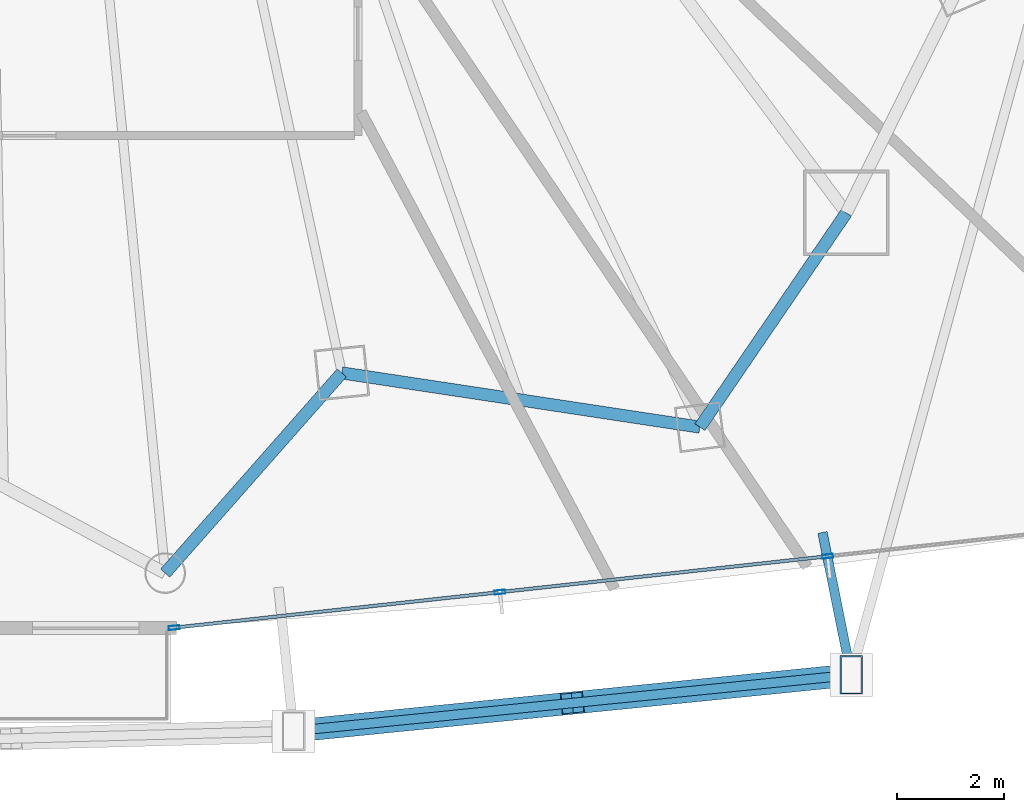
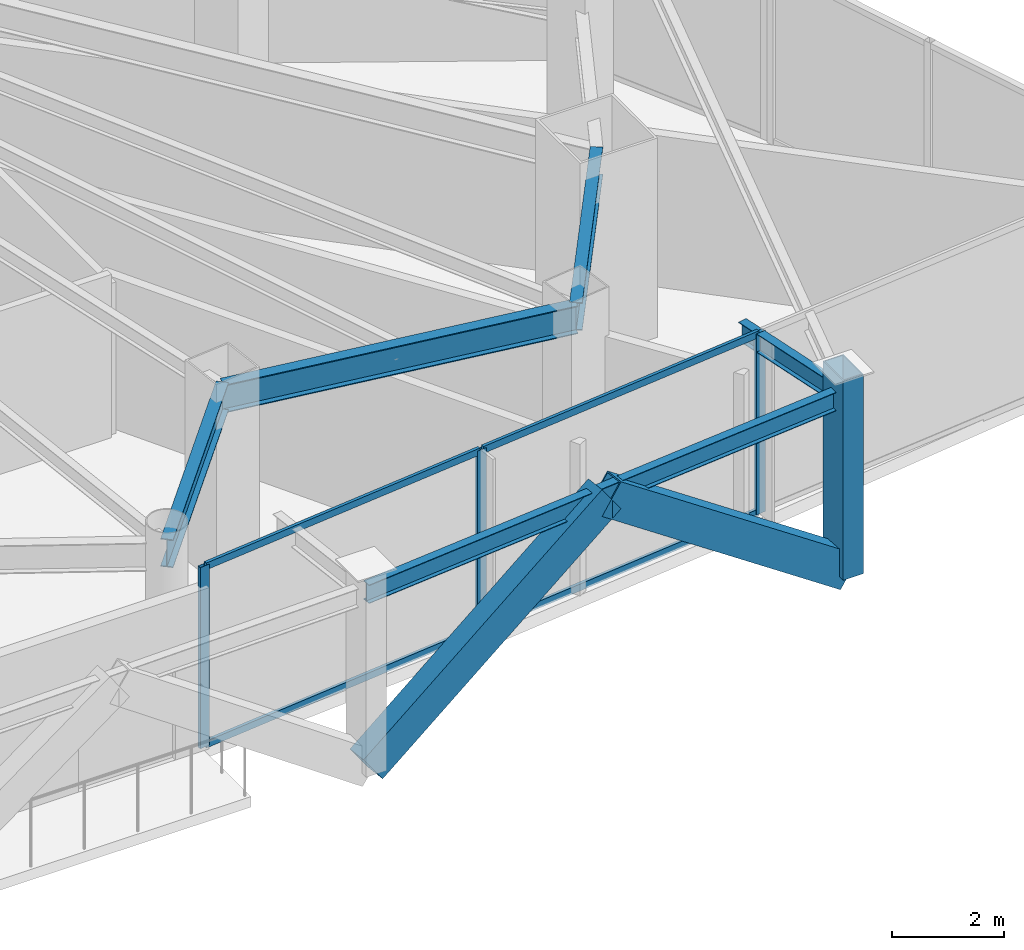
# One storey, part 12 of 33: 10 members, 5 beams, 1 element without a shape of its own.
"""IFC4 building model written with IfcOpenShell, lengths in metres."""

import ifcopenshell
import ifcopenshell.guid

model = None  # the IFC model being written
_history = None  # IfcOwnerHistory: only IFC2X3 demands one
_inside = {}  # id of a spatial element -> (the spatial element, [elements in it])
_under = {}  # id of a project, library or spatial element -> (it, [spatial elements below it])
_declared = {}  # id of a project -> (the project, [libraries it declares])
_typed = {}  # id of a type object -> (the type object, [elements of that type])
_made_of = {}  # id of a material, layer set ... -> (it, [elements and type objects made of it])


def new_model(schema):
    """Start an empty IFC model of exactly this schema.

    Asked for "IFC4X3", IfcOpenShell would pick the latest addendum, in which some entities
    have other attributes; the version numbers below select the first issue.
    IFC2X3 requires an IfcOwnerHistory on every rooted entity: one is made here for all.
    """
    global model, _history
    if schema == "IFC4X3":
        model = ifcopenshell.file(schema_version=(4, 3, 0, 0))
    else:
        model = ifcopenshell.file(schema=schema)
    _inside.clear()
    _under.clear()
    _declared.clear()
    _typed.clear()
    _made_of.clear()
    _history = None
    if model.schema == "IFC2X3":
        org = make("IfcOrganization", Name="unknown")
        user = make(
            "IfcPersonAndOrganization",
            ThePerson=make("IfcPerson", FamilyName="unknown"),
            TheOrganization=org,
        )
        app = make(
            "IfcApplication",
            ApplicationDeveloper=org,
            Version="unknown",
            ApplicationFullName="unknown",
            ApplicationIdentifier="unknown",
        )
        _history = make(
            "IfcOwnerHistory",
            OwningUser=user,
            OwningApplication=app,
            ChangeAction="ADDED",
            CreationDate=0,
        )
    return model


def make(cls, **values):
    """One entity of the class cls with the attributes given. An attribute that is None is left unset."""
    return model.create_entity(
        cls, **{name: value for name, value in values.items() if value is not None}
    )


def rooted(cls, **values):
    """An entity with a GlobalId (a new one), such as an element, a storey or a relation."""
    return make(cls, GlobalId=ifcopenshell.guid.new(), OwnerHistory=_history, **values)


def si_unit(unit_type, name, prefix=None):
    """IfcSIUnit, for example si_unit("LENGTHUNIT", "METRE", prefix="MILLI")."""
    return make("IfcSIUnit", UnitType=unit_type, Prefix=prefix, Name=name)


def assignment(units):
    """IfcUnitAssignment: the units of a project."""
    return None if units is None else make("IfcUnitAssignment", Units=units)


def point(xyz):
    """IfcCartesianPoint."""
    return None if xyz is None else make("IfcCartesianPoint", Coordinates=xyz)


def direction(xyz):
    """IfcDirection."""
    return None if xyz is None else make("IfcDirection", DirectionRatios=xyz)


def frame(location, z_axis=None, x_axis=None):
    """IfcAxis2Placement3D, a coordinate frame: its origin and axes. An axis left out is left unset."""
    return make(
        "IfcAxis2Placement3D",
        Location=point(location),
        Axis=direction(z_axis),
        RefDirection=direction(x_axis),
    )


def frame_2d(location, x_axis=None):
    """IfcAxis2Placement2D, a coordinate frame in the plane: its origin and x axis."""
    return make(
        "IfcAxis2Placement2D", Location=point(location), RefDirection=direction(x_axis)
    )


def origin():
    """The frame at (0, 0, 0) with its axes left unset."""
    return frame((0.0, 0.0, 0.0))


def origin_2d():
    """The frame at (0, 0) in the plane with its x axis left unset."""
    return frame_2d((0.0, 0.0))


def place(relative_to, where):
    """IfcLocalPlacement: puts the frame where relative to a parent placement (None: the world)."""
    return make(
        "IfcLocalPlacement", PlacementRelTo=relative_to, RelativePlacement=where
    )


def context(
    kind, dimensions, precision=None, world=None, true_north=None, identifier=None
):
    """IfcGeometricRepresentationContext, for example the 3D "Model" context."""
    return make(
        "IfcGeometricRepresentationContext",
        ContextIdentifier=identifier,
        ContextType=kind,
        CoordinateSpaceDimension=dimensions,
        Precision=precision,
        WorldCoordinateSystem=world,
        TrueNorth=true_north,
    )


def subcontext(parent, identifier, kind, view, scale=None):
    """IfcGeometricRepresentationSubContext, for example "Body" below "Model"."""
    return make(
        "IfcGeometricRepresentationSubContext",
        ContextIdentifier=identifier,
        ContextType=kind,
        ParentContext=parent,
        TargetScale=scale,
        TargetView=view,
    )


def project(units=None, contexts=None):
    """IfcProject with its units and contexts."""
    return rooted(
        "IfcProject",
        Name="project",
        RepresentationContexts=contexts,
        UnitsInContext=assignment(units),
    )


def spatial(cls, under=None, at=None, **own):
    """A site, building, storey or space (cls), placed at a placement, below another one or the project."""
    s = rooted(cls, ObjectPlacement=at, **own)
    if under is not None:
        _under.setdefault(under.id(), (under, []))[1].append(s)
    return s


def profile(cls, at=None, kind="AREA", **sizes):
    """A parametric profile (cls). Its sizes go by their IFC names, for example OverallWidth=200.0."""
    return make(cls, ProfileType=kind, Position=at, **sizes)


def hollow_rectangle(**sizes):
    """IfcRectangleHollowProfileDef."""
    return profile("IfcRectangleHollowProfileDef", **sizes)


def i_section(**sizes):
    """IfcIShapeProfileDef."""
    return profile("IfcIShapeProfileDef", **sizes)


def extrude(swept, where, along, depth):
    """IfcExtrudedAreaSolid: the profile swept, set in the frame where, extruded along a direction by depth."""
    return make(
        "IfcExtrudedAreaSolid",
        SweptArea=swept,
        Position=where,
        ExtrudedDirection=direction(along),
        Depth=depth,
    )


def shape(context_of_items, identifier, shape_type, items):
    """IfcShapeRepresentation: the items that make up one representation, for example the "Body"."""
    return make(
        "IfcShapeRepresentation",
        ContextOfItems=context_of_items,
        RepresentationIdentifier=identifier,
        RepresentationType=shape_type,
        Items=items,
    )


def material(Name=None, Category=None):
    """IfcMaterial."""
    return make("IfcMaterial", Name=Name, Category=Category)


def layer(
    of_material, thickness, ventilated=None, Name=None, Category=None, Priority=None
):
    """IfcMaterialLayer: one layer of a wall or slab, of a material (None: an air gap)."""
    return make(
        "IfcMaterialLayer",
        Material=of_material,
        LayerThickness=thickness,
        IsVentilated=ventilated,
        Name=Name,
        Category=Category,
        Priority=Priority,
    )


def layer_set(layers, Name=None):
    """IfcMaterialLayerSet."""
    return make("IfcMaterialLayerSet", MaterialLayers=layers, LayerSetName=Name)


def material_profile(
    of_material, cross_section, Name=None, Category=None, Priority=None
):
    """IfcMaterialProfile: a cross section and its material."""
    return make(
        "IfcMaterialProfile",
        Name=Name,
        Material=of_material,
        Profile=cross_section,
        Priority=Priority,
        Category=Category,
    )


def profile_set(profiles, Name=None, composite=None):
    """IfcMaterialProfileSet."""
    return make(
        "IfcMaterialProfileSet",
        Name=Name,
        MaterialProfiles=profiles,
        CompositeProfile=composite,
    )


def made_of(thing, what):
    """Note that an element or type object is made of a material, layer set ...; save() writes the relation."""
    if what is not None:
        _made_of.setdefault(what.id(), (what, []))[1].append(thing)
    return thing


def type_object(cls, material=None, **own):
    """A type object (cls), such as IfcWallType, which elements share."""
    return made_of(rooted(cls, **own), material)


def element(
    cls,
    number,
    at=None,
    inside=None,
    cuts=None,
    type_object=None,
    material=None,
    context=None,
    identifier="Body",
    shape_type=None,
    held_by="IfcProductDefinitionShape",
    body=None,
    shapes=None,
    **own,
):
    """One element of the class cls, such as IfcWall. Its Tag is "e" and its number.

    at: its placement. inside: the storey or other place that contains it. cuts: it is an
    opening in that element (IfcRelVoidsElement). A single representation is given by context,
    identifier, shape_type and body (its items); several are given by shapes. held_by: the class
    of the entity that holds the representations. save() writes the other relations.
    """
    e = rooted(cls, Tag="e%d" % number, ObjectPlacement=at, **own)
    if body is not None:
        shapes = [shape(context, identifier, shape_type, body)]
    if shapes is not None:
        e.Representation = make(held_by, Representations=shapes)
    if inside is not None:
        _inside.setdefault(inside.id(), (inside, []))[1].append(e)
    if cuts is not None:
        rooted(
            "IfcRelVoidsElement", RelatingBuildingElement=cuts, RelatedOpeningElement=e
        )
    if type_object is not None:
        _typed.setdefault(type_object.id(), (type_object, []))[1].append(e)
    return made_of(e, material)


def aggregate(whole, parts):
    """IfcRelAggregates: a whole, such as a stair, and the parts it consists of."""
    return rooted("IfcRelAggregates", RelatingObject=whole, RelatedObjects=parts)


def save(model, path):
    """Write the relations noted so far, then the file.

    IfcRelAggregates (storeys below a building ...), IfcRelContainedInSpatialStructure (elements
    in a storey), IfcRelDefinesByType, IfcRelAssociatesMaterial and IfcRelDeclares: one each for
    every whole, place, type object, material and project.
    """
    for whole, parts in _under.values():
        aggregate(whole, parts)
    for where, things in _inside.values():
        rooted(
            "IfcRelContainedInSpatialStructure",
            RelatedElements=things,
            RelatingStructure=where,
        )
    for kind, things in _typed.values():
        rooted("IfcRelDefinesByType", RelatedObjects=things, RelatingType=kind)
    for what, things in _made_of.values():
        rooted("IfcRelAssociatesMaterial", RelatedObjects=things, RelatingMaterial=what)
    for by, libraries in _declared.values():
        rooted("IfcRelDeclares", RelatingContext=by, RelatedDefinitions=libraries)
    model.write(path)


model = new_model("IFC4")

# Units and contexts
model_context = context("Model", 3, precision=1e-05, world=origin(), true_north=direction((0.0, 1.0)))
body_context = subcontext(model_context, "Body", "Model", "MODEL_VIEW")
ifc_project = project(units=[si_unit("LENGTHUNIT", "METRE"), si_unit("AREAUNIT", "SQUARE_METRE"), si_unit("VOLUMEUNIT", "CUBIC_METRE"), si_unit("PLANEANGLEUNIT", "RADIAN"), si_unit("MASSUNIT", "GRAM", prefix="KILO")], contexts=[model_context])

# Site, building, storey
site_placement = place(None, origin())
site = spatial("IfcSite", under=ifc_project, at=site_placement, CompositionType="ELEMENT")
building_placement = place(site_placement, origin())
building = spatial("IfcBuilding", under=site, at=building_placement, Name="Orvanel Arch Residences", CompositionType="ELEMENT")
storey_placement = place(building_placement, frame((0.0, 0.0, 97.25)))
storey = spatial("IfcBuildingStorey", under=building, at=storey_placement, Name="L27", CompositionType="ELEMENT", Elevation=97.25)

# Members
ifc_material_1 = material(Name="Structural steel AS/NZS 3678 Grade 350", Category="steel")
ifc_material_profile_1 = material_profile(ifc_material_1, hollow_rectangle(XDim=0.419921875, YDim=0.719970703125, WallThickness=0.02490234375, at=origin_2d()), Name="RHS720x420x25")
ifc_profile_set_1 = profile_set([ifc_material_profile_1], Name="Structural steel AS/NZS 3678 Grade 350")
member_type_1 = type_object("IfcMemberType", Name="BR-720RHS-EXT", PredefinedType="BRACE", material=ifc_profile_set_1)
member_1_placement = place(storey_placement, frame((41.447021484375, 0.64501953125, 0.0), z_axis=(0.809817473325, 0.08153820584, 0.580988107353), x_axis=(-0.100180610683, 0.994969268492, 0.0)))
element("IfcMember", 1, at=member_1_placement, inside=storey, type_object=member_type_1, Name="L27 Exterior Sky-Garden V-Frame Chevron F2B3.1", PredefinedType="BRACE", context=body_context, shape_type="SweptSolid", body=[
    extrude(hollow_rectangle(XDim=0.419921875, YDim=0.719970703125, WallThickness=0.02490234375, at=origin_2d()), origin(), (0.0, 0.0, 1.0), 6.449462890625),
])
member_2_placement = place(storey_placement, frame((51.89306640625, 1.697021484375, 0.0), z_axis=(-0.809828002002, -0.081573307671, 0.580968504007), x_axis=(0.100222014948, -0.994965098745, 0.0)))
element("IfcMember", 2, at=member_2_placement, inside=storey, type_object=member_type_1, Name="L27 Exterior Sky-Garden V-Frame Chevron F2B3.2", PredefinedType="BRACE", context=body_context, shape_type="SweptSolid", body=[
    extrude(hollow_rectangle(XDim=0.419921875, YDim=0.719970703125, WallThickness=0.02490234375, at=origin_2d()), origin(), (0.0, 0.0, 1.0), 6.44970703125),
])
ifc_material_profile_2 = material_profile(ifc_material_1, hollow_rectangle(XDim=0.419921875, YDim=0.719970703125, WallThickness=0.02490234375, at=origin_2d()), Name="RHS720x420x25")
ifc_profile_set_2 = profile_set([ifc_material_profile_2], Name="Structural steel AS/NZS 3678 Grade 350")
member_type_2 = type_object("IfcMemberType", Name="CH-720RHS-EXT", PredefinedType="CHORD", material=ifc_profile_set_2)
member_3_placement = place(storey_placement, frame((51.89306640625, 1.697021484375, 0.0), z_axis=(0.0, 0.0, 1.0), x_axis=(1.0, 0.0, 0.0)))
element("IfcMember", 3, at=member_3_placement, inside=storey, type_object=member_type_2, Name="L27 Outer Perimeter Frame Post 08", PredefinedType="CHORD", context=body_context, shape_type="SweptSolid", body=[
    extrude(hollow_rectangle(XDim=0.419921875, YDim=0.719970703125, WallThickness=0.02490234375, at=origin_2d()), origin(), (0.0, 0.0, 1.0), 4.35009765625),
])

# Curtain wall, members
ifc_material_2 = material(Name="Bronze-anodised aluminium AA6063-T6", Category="aluminium")
ifc_layer = layer(ifc_material_2, 0.195068359375)
ifc_layer_set = layer_set([ifc_layer], Name="Bronze-anodised aluminium AA6063-T6")
curtain_wall_type = type_object("IfcCurtainWallType", Name="CW6-COM-SYS", PredefinedType="NOTDEFINED", material=ifc_layer_set)
curtain_wall_placement = place(storey_placement, origin())
curtain_wall = element("IfcCurtainWall", 4, at=curtain_wall_placement, inside=storey, type_object=curtain_wall_type, Name="L27 CW6-COM-SYS Unitised Curtain Wall", PredefinedType="NOTDEFINED")
ifc_material_profile_3 = material_profile(ifc_material_2, hollow_rectangle(XDim=0.074951171875, YDim=0.199951171875, WallThickness=0.0048828125, at=origin_2d()), Name="ALU200x75x5")
ifc_profile_set_3 = profile_set([ifc_material_profile_3], Name="Bronze-anodised aluminium AA6063-T6")
member_type_3 = type_object("IfcMemberType", Name="MUL-200x75", PredefinedType="MULLION", material=ifc_profile_set_3)
member_4_placement = place(storey_placement, frame((39.209228515625, 2.5810546875, 0.0), z_axis=(0.0, 0.0, 1.0), x_axis=(-0.108701590495, 0.994074425898, 0.0)))
member_4 = element("IfcMember", 5, at=member_4_placement, type_object=member_type_3, Name="CW-S6 mullion 1", PredefinedType="MULLION", context=body_context, shape_type="SweptSolid", body=[
    extrude(hollow_rectangle(XDim=0.074951171875, YDim=0.199951171875, WallThickness=0.0048828125, at=origin_2d()), origin(), (0.0, 0.0, 1.0), 3.949951171875),
])
member_5_placement = place(storey_placement, frame((45.311279296875, 3.248291015625, 0.0), z_axis=(0.0, 0.0, 1.0), x_axis=(-0.108701590495, 0.994074425898, 0.0)))
member_5 = element("IfcMember", 6, at=member_5_placement, type_object=member_type_3, Name="CW-S6 mullion 2", PredefinedType="MULLION", context=body_context, shape_type="SweptSolid", body=[
    extrude(hollow_rectangle(XDim=0.074951171875, YDim=0.199951171875, WallThickness=0.0048828125, at=origin_2d()), origin(), (0.0, 0.0, 1.0), 3.949951171875),
])
member_6_placement = place(storey_placement, frame((51.45068359375, 3.919677734375, 0.0), z_axis=(0.0, 0.0, 1.0), x_axis=(-0.108701590495, 0.994074425898, 0.0)))
member_6 = element("IfcMember", 7, at=member_6_placement, type_object=member_type_3, Name="CW-S6 mullion 3", PredefinedType="MULLION", context=body_context, shape_type="SweptSolid", body=[
    extrude(hollow_rectangle(XDim=0.074951171875, YDim=0.199951171875, WallThickness=0.0048828125, at=origin_2d()), origin(), (0.0, 0.0, 1.0), 3.949951171875),
])

# Beams
ifc_material_3 = material(Name="Structural steel AS/NZS 3679.1 Grade 300 (300 MPa)", Category="steel")
ifc_material_profile_4 = material_profile(ifc_material_3, i_section(OverallWidth=0.177978515625, OverallDepth=0.406005859375, WebThickness=0.0078125, FlangeThickness=0.0126953125, at=origin_2d()), Name="410UB59.7")
ifc_profile_set_4 = profile_set([ifc_material_profile_4], Name="Structural steel AS/NZS 3679.1 Grade 300 (300 MPa)")
beam_type_1 = type_object("IfcBeamType", Name="OB-410UB-EXT", PredefinedType="SPANDREL", material=ifc_profile_set_4)
beam_1_placement = place(storey_placement, frame((41.447021484375, 0.64501953125, 3.7470703125), z_axis=(0.994967183781, 0.100201313364, 0.0), x_axis=(-0.100201313364, 0.994967183781, 0.0)))
element("IfcBeam", 8, at=beam_1_placement, inside=storey, type_object=beam_type_1, Name="L27 Outer Perimeter Floor Ring Beam 07", PredefinedType="SPANDREL", context=body_context, shape_type="SweptSolid", body=[
    extrude(i_section(OverallWidth=0.177978515625, OverallDepth=0.406005859375, WebThickness=0.0078125, FlangeThickness=0.0126953125, at=origin_2d()), origin(), (0.0, 0.0, 1.0), 10.498779296875),
])
beam_2_placement = place(storey_placement, frame((51.35498046875, 4.365966796875, 3.7470703125), z_axis=(0.197633398119, -0.980276001924, 0.0), x_axis=(0.980276001924, 0.197633398119, 0.0)))
element("IfcBeam", 9, at=beam_2_placement, inside=storey, type_object=beam_type_1, Name="L27 Outer Frame Radial Tie Beam 08", PredefinedType="SPANDREL", context=body_context, shape_type="SweptSolid", body=[
    extrude(i_section(OverallWidth=0.177978515625, OverallDepth=0.406005859375, WebThickness=0.0078125, FlangeThickness=0.0126953125, at=origin_2d()), origin(), (0.0, 0.0, 1.0), 2.72265625),
])
ifc_material_profile_5 = material_profile(ifc_material_3, i_section(OverallWidth=0.22900390625, OverallDepth=0.612060546875, WebThickness=0.011962890625, FlangeThickness=0.01953125, at=origin_2d()), Name="610UB125")
ifc_profile_set_5 = profile_set([ifc_material_profile_5], Name="Structural steel AS/NZS 3679.1 Grade 300 (300 MPa)")
beam_type_2 = type_object("IfcBeamType", Name="SP-610UB", PredefinedType="SPANDREL", material=ifc_profile_set_5)
beam_3_placement = place(storey_placement, frame((39.0419921875, 3.60498046875, 3.64404296875), z_axis=(0.661650698195, 0.749812212209, 0.0), x_axis=(-0.749812212209, 0.661650698195, 0.0)))
element("IfcBeam", 10, at=beam_3_placement, inside=storey, type_object=beam_type_2, Name="L27 Perimeter Spandrel Beam 08", PredefinedType="SPANDREL", context=body_context, shape_type="SweptSolid", body=[
    extrude(i_section(OverallWidth=0.22900390625, OverallDepth=0.612060546875, WebThickness=0.011962890625, FlangeThickness=0.01953125, at=origin_2d()), origin(), (0.0, 0.0, 1.0), 5.001220703125),
])
beam_4_placement = place(storey_placement, frame((42.35107421875, 7.35498046875, 3.64404296875), z_axis=(0.988726323014, -0.149733958002, 0.0), x_axis=(0.149733958002, 0.988726323014, 0.0)))
element("IfcBeam", 11, at=beam_4_placement, inside=storey, type_object=beam_type_2, Name="L27 Perimeter Spandrel Beam 09", PredefinedType="SPANDREL", context=body_context, shape_type="SweptSolid", body=[
    extrude(i_section(OverallWidth=0.22900390625, OverallDepth=0.612060546875, WebThickness=0.011962890625, FlangeThickness=0.01953125, at=origin_2d()), origin(), (0.0, 0.0, 1.0), 6.784423828125),
])
beam_5_placement = place(storey_placement, frame((49.05908203125, 6.339111328125, 3.64404296875), z_axis=(0.564251579852, 0.825602903722, 0.0), x_axis=(-0.825602903722, 0.564251579852, 0.0)))
element("IfcBeam", 12, at=beam_5_placement, inside=storey, type_object=beam_type_2, Name="L27 Perimeter Spandrel Beam 10", PredefinedType="SPANDREL", context=body_context, shape_type="SweptSolid", body=[
    extrude(i_section(OverallWidth=0.22900390625, OverallDepth=0.612060546875, WebThickness=0.011962890625, FlangeThickness=0.01953125, at=origin_2d()), origin(), (0.0, 0.0, 1.0), 4.859375),
])

# Member
ifc_material_profile_6 = material_profile(ifc_material_2, hollow_rectangle(XDim=0.06494140625, YDim=0.14990234375, WallThickness=0.00390625, at=origin_2d()), Name="ALU150x65x4")
ifc_profile_set_6 = profile_set([ifc_material_profile_6], Name="Bronze-anodised aluminium AA6063-T6")
member_type_4 = type_object("IfcMemberType", Name="TRN-150x65", PredefinedType="USERDEFINED", material=ifc_profile_set_6)
member_7_placement = place(storey_placement, frame((39.24658203125, 2.585205078125, 0.032470703125), z_axis=(0.994077606029, 0.1086725043, 0.0), x_axis=(-0.1086725043, 0.994077606029, 0.0)))
member_7 = element("IfcMember", 13, at=member_7_placement, type_object=member_type_4, Name="CW-S6 transom 1.1", ObjectType="TRANSOM", PredefinedType="USERDEFINED", context=body_context, shape_type="SweptSolid", body=[
    extrude(hollow_rectangle(XDim=0.06494140625, YDim=0.14990234375, WallThickness=0.00390625, at=origin_2d()), origin(), (0.0, 0.0, 1.0), 6.0634765625),
])

member_8_placement = place(storey_placement, frame((39.24658203125, 2.585205078125, 3.91748046875), z_axis=(0.994077606029, 0.1086725043, 0.0), x_axis=(-0.1086725043, 0.994077606029, 0.0)))
member_8 = element("IfcMember", 14, at=member_8_placement, type_object=member_type_4, Name="CW-S6 transom 1.2", ObjectType="TRANSOM", PredefinedType="USERDEFINED", context=body_context, shape_type="SweptSolid", body=[
    extrude(hollow_rectangle(XDim=0.06494140625, YDim=0.14990234375, WallThickness=0.00390625, at=origin_2d()), origin(), (0.0, 0.0, 1.0), 6.0634765625),
])

member_9_placement = place(storey_placement, frame((45.3486328125, 3.25244140625, 0.032470703125), z_axis=(0.994075948589, 0.108687664602, 0.0), x_axis=(-0.108687664602, 0.994075948589, 0.0)))
member_9 = element("IfcMember", 15, at=member_9_placement, type_object=member_type_4, Name="CW-S6 transom 2.1", ObjectType="TRANSOM", PredefinedType="USERDEFINED", context=body_context, shape_type="SweptSolid", body=[
    extrude(hollow_rectangle(XDim=0.06494140625, YDim=0.14990234375, WallThickness=0.00390625, at=origin_2d()), origin(), (0.0, 0.0, 1.0), 6.100830078125),
])

member_10_placement = place(storey_placement, frame((45.3486328125, 3.25244140625, 3.91748046875), z_axis=(0.994075948589, 0.108687664602, 0.0), x_axis=(-0.108687664602, 0.994075948589, 0.0)))
member_10 = element("IfcMember", 16, at=member_10_placement, type_object=member_type_4, Name="CW-S6 transom 2.2", ObjectType="TRANSOM", PredefinedType="USERDEFINED", context=body_context, shape_type="SweptSolid", body=[
    extrude(hollow_rectangle(XDim=0.06494140625, YDim=0.14990234375, WallThickness=0.00390625, at=origin_2d()), origin(), (0.0, 0.0, 1.0), 6.100830078125),
])

aggregate(curtain_wall, [member_4, member_5, member_6, member_7, member_8, member_9, member_10])

save(model, "model.ifc")
